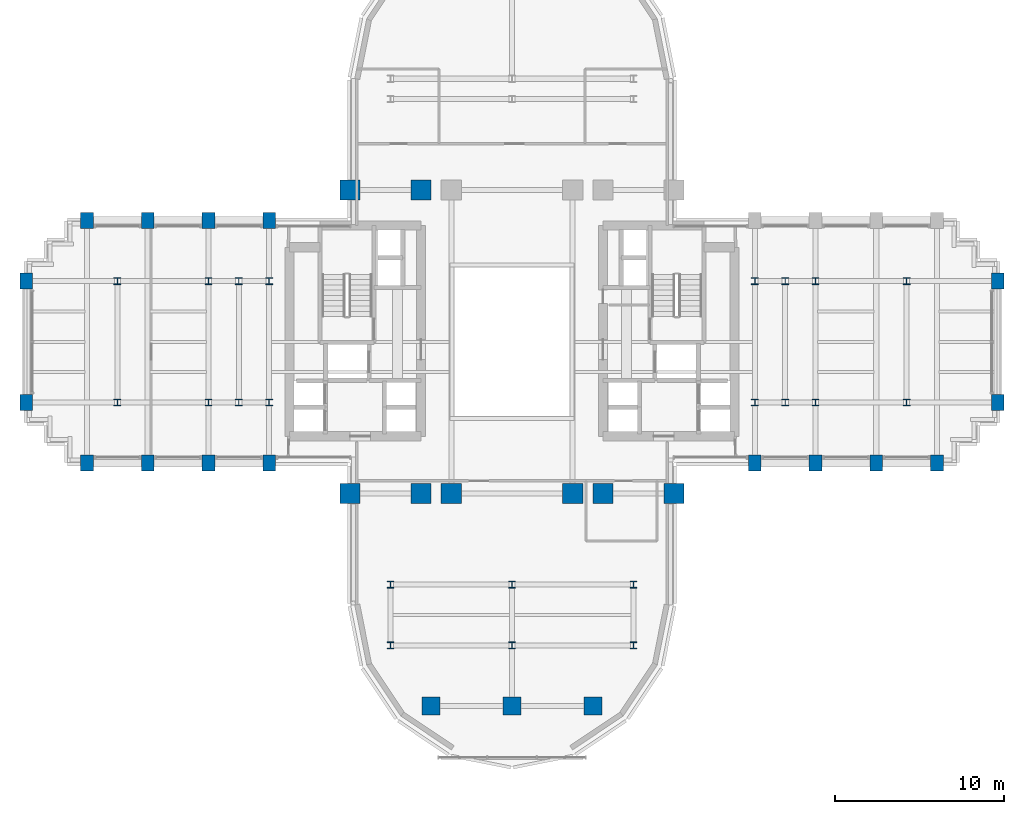
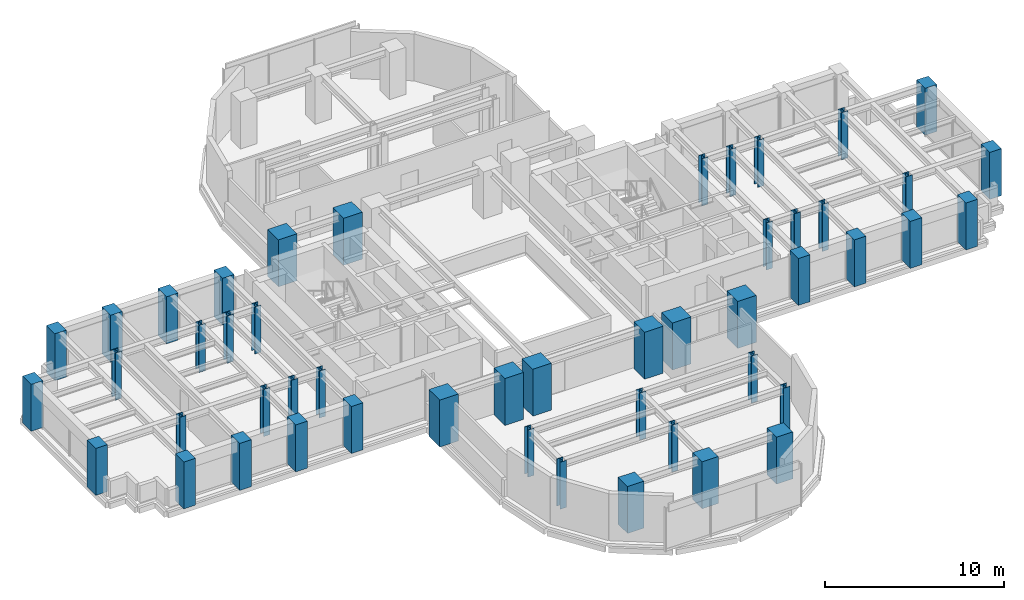
# One storey, part 1 of 16: 49 columns.
"""IFC4 building model written with IfcOpenShell, lengths in metres."""

from ifc_helpers import new_model, si_unit, direction, frame, origin, origin_2d, place, context, subcontext, project, spatial, rectangle, i_section, extrude, source, transform, mapped, material, material_profile, profile_set, type_object, element, save


model = new_model("IFC4")

# Units and contexts
model_context = context("Model", 3, precision=1e-05, world=origin(), true_north=direction((0.0, 1.0)))
body_context = subcontext(model_context, "Body", "Model", "MODEL_VIEW")
ifc_project = project(units=[si_unit("LENGTHUNIT", "METRE"), si_unit("AREAUNIT", "SQUARE_METRE"), si_unit("VOLUMEUNIT", "CUBIC_METRE"), si_unit("PLANEANGLEUNIT", "RADIAN"), si_unit("MASSUNIT", "GRAM", prefix="KILO")], contexts=[model_context])

# Site, building, storey
site_placement = place(None, origin())
site = spatial("IfcSite", under=ifc_project, at=site_placement, CompositionType="ELEMENT")
building_placement = place(site_placement, origin())
building = spatial("IfcBuilding", under=site, at=building_placement, Name="Keilestroom Media Tower", CompositionType="ELEMENT")
storey_placement = place(building_placement, frame((0.0, 0.0, 68.0)))
storey = spatial("IfcBuildingStorey", under=building, at=storey_placement, Name="L17", CompositionType="ELEMENT", Elevation=68.0)

# Columns
ifc_material_1 = material(Name="Precast concrete C40/50", Category="concrete")
ifc_material_profile_1 = material_profile(ifc_material_1, rectangle(XDim=0.75, YDim=0.949951171875, at=origin_2d()), Name="PC 950x750")
ifc_profile_set_1 = profile_set([ifc_material_profile_1], Name="Precast concrete C40/50")
column_type_1 = type_object("IfcColumnType", Name="Structural-Column-PC-950x750", PredefinedType="COLUMN", material=ifc_profile_set_1)
shared_shape_1 = source(origin(), body_context, "Body", "SweptSolid", [
    extrude(rectangle(XDim=0.75, YDim=0.949951171875, at=origin_2d()), origin(), (0.0, 0.0, 1.0), 3.199951171875),
])
for number, where, z_axis, x_axis, name in (
    (1, (-28.800048828125, -3.60009765625, 0.0), (0.0, 0.0, 1.0), (1.0, 0.0, 0.0), "L17 Column PC-1 (-28.8,-3.6)"),
    (2, (-28.800048828125, 3.60009765625, 0.0), (0.0, 0.0, 1.0), (1.0, 0.0, 0.0), "L17 Column PC-1 (-28.8,+3.6)"),
    (3, (-25.199951171875, -7.199951171875, 0.0), (0.0, 0.0, 1.0), (1.0, 0.0, 0.0), "L17 Column PC-1 (-25.2,-7.2)"),
    (4, (-25.199951171875, 7.199951171875, 0.0), (0.0, 0.0, 1.0), (1.0, 0.0, 0.0), "L17 Column PC-1 (-25.2,+7.2)"),
    (5, (-21.60009765625, -7.199951171875, 0.0), (0.0, 0.0, 1.0), (1.0, 0.0, 0.0), "L17 Column PC-1 (-21.6,-7.2)"),
    (6, (-21.60009765625, 7.199951171875, 0.0), (0.0, 0.0, 1.0), (1.0, 0.0, 0.0), "L17 Column PC-1 (-21.6,+7.2)"),
    (7, (-18.0, -7.199951171875, 0.0), (0.0, 0.0, 1.0), (1.0, 0.0, 0.0), "L17 Column PC-1 (-18.0,-7.2)"),
    (8, (-18.0, 7.199951171875, 0.0), (0.0, 0.0, 1.0), (1.0, 0.0, 0.0), "L17 Column PC-1 (-18.0,+7.2)"),
    (9, (-14.39990234375, -7.199951171875, 0.0), (0.0, 0.0, 1.0), (1.0, 0.0, 0.0), "L17 Column PC-1 (-14.4,-7.2)"),
    (10, (-14.39990234375, 7.199951171875, 0.0), (0.0, 0.0, 1.0), (1.0, 0.0, 0.0), "L17 Column PC-1 (-14.4,+7.2)"),
    (11, (14.39990234375, -7.199951171875, 0.0), (0.0, 0.0, 1.0), (1.0, 0.0, 0.0), "L17 Column PC-1 (+14.4,-7.2)"),
    (12, (18.0, -7.199951171875, 0.0), (0.0, 0.0, 1.0), (1.0, 0.0, 0.0), "L17 Column PC-1 (+18.0,-7.2)"),
    (13, (21.60009765625, -7.199951171875, 0.0), (0.0, 0.0, 1.0), (1.0, 0.0, 0.0), "L17 Column PC-1 (+21.6,-7.2)"),
    (14, (25.199951171875, -7.199951171875, 0.0), (0.0, 0.0, 1.0), (1.0, 0.0, 0.0), "L17 Column PC-1 (+25.2,-7.2)"),
    (15, (28.800048828125, -3.60009765625, 0.0), (0.0, 0.0, 1.0), (1.0, 0.0, 0.0), "L17 Column PC-1 (+28.8,-3.6)"),
    (16, (28.800048828125, 3.60009765625, 0.0), (0.0, 0.0, 1.0), (1.0, 0.0, 0.0), "L17 Column PC-1 (+28.8,+3.6)"),
):
    element("IfcColumn", number, at=place(storey_placement, frame(where, z_axis=z_axis, x_axis=x_axis)), inside=storey, type_object=column_type_1, Name=name, PredefinedType="COLUMN", context=body_context, shape_type="MappedRepresentation", body=[
        mapped(shared_shape_1, transform((0.0, 0.0, 0.0), x_axis=(1.0, 0.0, 0.0), y_axis=(0.0, 1.0, 0.0), z_axis=(0.0, 0.0, 1.0), scale=1.0)),
    ])
ifc_material_2 = material(Name="Steel S460", Category="steel")
ifc_material_profile_2 = material_profile(ifc_material_2, i_section(OverallWidth=0.404052734375, OverallDepth=0.406982421875, WebThickness=0.02197265625, FlangeThickness=0.035400390625, at=origin_2d()), Name="HD 400x347")
ifc_profile_set_2 = profile_set([ifc_material_profile_2], Name="Steel S460")
column_type_2 = type_object("IfcColumnType", Name="Structural-Column-HD-400x347", PredefinedType="COLUMN", material=ifc_profile_set_2)
shared_shape_2 = source(origin(), body_context, "Body", "SweptSolid", [
    extrude(i_section(OverallWidth=0.404052734375, OverallDepth=0.406982421875, WebThickness=0.02197265625, FlangeThickness=0.035400390625, at=origin_2d()), origin(), (0.0, 0.0, 1.0), 3.199951171875),
])
for number, where, z_axis, x_axis, name in (
    (17, (-23.39990234375, -3.60009765625, 0.0), (0.0, 0.0, 1.0), (1.0, 0.0, 0.0), "L17 Column SC-2 (-23.4,-3.6)"),
    (18, (-23.39990234375, 3.60009765625, 0.0), (0.0, 0.0, 1.0), (1.0, 0.0, 0.0), "L17 Column SC-2 (-23.4,+3.6)"),
    (19, (-18.0, -3.60009765625, 0.0), (0.0, 0.0, 1.0), (1.0, 0.0, 0.0), "L17 Column SC-2 (-18.0,-3.6)"),
    (20, (-18.0, 3.60009765625, 0.0), (0.0, 0.0, 1.0), (1.0, 0.0, 0.0), "L17 Column SC-2 (-18.0,+3.6)"),
    (21, (-16.199951171875, -3.60009765625, 0.0), (0.0, 0.0, 1.0), (1.0, 0.0, 0.0), "L17 Column SC-2 (-16.2,-3.6)"),
    (22, (-16.199951171875, 3.60009765625, 0.0), (0.0, 0.0, 1.0), (1.0, 0.0, 0.0), "L17 Column SC-2 (-16.2,+3.6)"),
    (23, (-14.39990234375, -3.60009765625, 0.0), (0.0, 0.0, 1.0), (1.0, 0.0, 0.0), "L17 Column SC-2 (-14.4,-3.6)"),
    (24, (-14.39990234375, 3.60009765625, 0.0), (0.0, 0.0, 1.0), (1.0, 0.0, 0.0), "L17 Column SC-2 (-14.4,+3.6)"),
    (25, (-7.199951171875, -18.0, 0.0), (0.0, 0.0, 1.0), (1.0, 0.0, 0.0), "L17 Column SC-2 (-7.2,-18.0)"),
    (26, (-7.199951171875, -14.39990234375, 0.0), (0.0, 0.0, 1.0), (1.0, 0.0, 0.0), "L17 Column SC-2 (-7.2,-14.4)"),
    (27, (0.0, -18.0, 0.0), (0.0, 0.0, 1.0), (1.0, 0.0, 0.0), "L17 Column SC-2 (+0.0,-18.0)"),
    (28, (0.0, -14.39990234375, 0.0), (0.0, 0.0, 1.0), (1.0, 0.0, 0.0), "L17 Column SC-2 (+0.0,-14.4)"),
    (29, (7.199951171875, -18.0, 0.0), (0.0, 0.0, 1.0), (1.0, 0.0, 0.0), "L17 Column SC-2 (+7.2,-18.0)"),
    (30, (7.199951171875, -14.39990234375, 0.0), (0.0, 0.0, 1.0), (1.0, 0.0, 0.0), "L17 Column SC-2 (+7.2,-14.4)"),
    (31, (14.39990234375, -3.60009765625, 0.0), (0.0, 0.0, 1.0), (1.0, 0.0, 0.0), "L17 Column SC-2 (+14.4,-3.6)"),
    (32, (14.39990234375, 3.60009765625, 0.0), (0.0, 0.0, 1.0), (1.0, 0.0, 0.0), "L17 Column SC-2 (+14.4,+3.6)"),
    (33, (16.199951171875, -3.60009765625, 0.0), (0.0, 0.0, 1.0), (1.0, 0.0, 0.0), "L17 Column SC-2 (+16.2,-3.6)"),
    (34, (16.199951171875, 3.60009765625, 0.0), (0.0, 0.0, 1.0), (1.0, 0.0, 0.0), "L17 Column SC-2 (+16.2,+3.6)"),
    (35, (18.0, -3.60009765625, 0.0), (0.0, 0.0, 1.0), (1.0, 0.0, 0.0), "L17 Column SC-2 (+18.0,-3.6)"),
    (36, (18.0, 3.60009765625, 0.0), (0.0, 0.0, 1.0), (1.0, 0.0, 0.0), "L17 Column SC-2 (+18.0,+3.6)"),
    (37, (23.39990234375, -3.60009765625, 0.0), (0.0, 0.0, 1.0), (1.0, 0.0, 0.0), "L17 Column SC-2 (+23.4,-3.6)"),
    (38, (23.39990234375, 3.60009765625, 0.0), (0.0, 0.0, 1.0), (1.0, 0.0, 0.0), "L17 Column SC-2 (+23.4,+3.6)"),
):
    element("IfcColumn", number, at=place(storey_placement, frame(where, z_axis=z_axis, x_axis=x_axis)), inside=storey, type_object=column_type_2, Name=name, PredefinedType="COLUMN", context=body_context, shape_type="MappedRepresentation", body=[
        mapped(shared_shape_2, transform((0.0, 0.0, 0.0), x_axis=(1.0, 0.0, 0.0), y_axis=(0.0, 1.0, 0.0), z_axis=(0.0, 0.0, 1.0), scale=1.0)),
    ])
ifc_material_3 = material(Name="Concrete C70/85", Category="concrete")
ifc_material_profile_3 = material_profile(ifc_material_3, rectangle(XDim=1.199951171875, YDim=1.199951171875, at=origin_2d()), Name="RC 1200x1200")
ifc_profile_set_3 = profile_set([ifc_material_profile_3], Name="Concrete C70/85")
column_type_3 = type_object("IfcColumnType", Name="Structural-Column-RC-1200x1200", PredefinedType="COLUMN", material=ifc_profile_set_3)
shared_shape_3 = source(origin(), body_context, "Body", "SweptSolid", [
    extrude(rectangle(XDim=1.199951171875, YDim=1.199951171875, at=origin_2d()), origin(), (0.0, 0.0, 1.0), 3.199951171875),
])
for number, where, z_axis, x_axis, name in (
    (39, (-9.60009765625, -9.0, 0.0), (0.0, 0.0, 1.0), (1.0, 0.0, 0.0), "L17 Column MC-2 (-9.6,-9.0)"),
    (40, (-9.60009765625, 9.0, 0.0), (0.0, 0.0, 1.0), (1.0, 0.0, 0.0), "L17 Column MC-2 (-9.6,+9.0)"),
    (41, (-5.39990234375, -9.0, 0.0), (0.0, 0.0, 1.0), (1.0, 0.0, 0.0), "L17 Column MC-2 (-5.4,-9.0)"),
    (42, (-5.39990234375, 9.0, 0.0), (0.0, 0.0, 1.0), (1.0, 0.0, 0.0), "L17 Column MC-2 (-5.4,+9.0)"),
    (43, (-3.60009765625, -9.0, 0.0), (0.0, 0.0, 1.0), (1.0, 0.0, 0.0), "L17 Column MC-2 (-3.6,-9.0)"),
    (44, (3.60009765625, -9.0, 0.0), (0.0, 0.0, 1.0), (1.0, 0.0, 0.0), "L17 Column MC-2 (+3.6,-9.0)"),
    (45, (5.39990234375, -9.0, 0.0), (0.0, 0.0, 1.0), (1.0, 0.0, 0.0), "L17 Column MC-2 (+5.4,-9.0)"),
    (46, (9.60009765625, -9.0, 0.0), (0.0, 0.0, 1.0), (1.0, 0.0, 0.0), "L17 Column MC-2 (+9.6,-9.0)"),
):
    element("IfcColumn", number, at=place(storey_placement, frame(where, z_axis=z_axis, x_axis=x_axis)), inside=storey, type_object=column_type_3, Name=name, PredefinedType="COLUMN", context=body_context, shape_type="MappedRepresentation", body=[
        mapped(shared_shape_3, transform((0.0, 0.0, 0.0), x_axis=(1.0, 0.0, 0.0), y_axis=(0.0, 1.0, 0.0), z_axis=(0.0, 0.0, 1.0), scale=1.0)),
    ])
ifc_material_4 = material(Name="Concrete C55/67", Category="concrete")
ifc_material_profile_4 = material_profile(ifc_material_4, rectangle(XDim=1.050048828125, YDim=1.050048828125, at=origin_2d()), Name="RC 1050x1050")
ifc_profile_set_4 = profile_set([ifc_material_profile_4], Name="Concrete C55/67")
column_type_4 = type_object("IfcColumnType", Name="Structural-Column-RC-1050x1050", PredefinedType="COLUMN", material=ifc_profile_set_4)
shared_shape_4 = source(origin(), body_context, "Body", "SweptSolid", [
    extrude(rectangle(XDim=1.050048828125, YDim=1.050048828125, at=origin_2d()), origin(), (0.0, 0.0, 1.0), 3.199951171875),
])
for number, where, z_axis, x_axis, name in (
    (47, (-4.800048828125, -21.60009765625, 0.0), (0.0, 0.0, 1.0), (1.0, 0.0, 0.0), "L17 Column MC-3 (-4.8,-21.6)"),
    (48, (0.0, -21.60009765625, 0.0), (0.0, 0.0, 1.0), (1.0, 0.0, 0.0), "L17 Column MC-3 (+0.0,-21.6)"),
    (49, (4.800048828125, -21.60009765625, 0.0), (0.0, 0.0, 1.0), (1.0, 0.0, 0.0), "L17 Column MC-3 (+4.8,-21.6)"),
):
    element("IfcColumn", number, at=place(storey_placement, frame(where, z_axis=z_axis, x_axis=x_axis)), inside=storey, type_object=column_type_4, Name=name, PredefinedType="COLUMN", context=body_context, shape_type="MappedRepresentation", body=[
        mapped(shared_shape_4, transform((0.0, 0.0, 0.0), x_axis=(1.0, 0.0, 0.0), y_axis=(0.0, 1.0, 0.0), z_axis=(0.0, 0.0, 1.0), scale=1.0)),
    ])

save(model, "model.ifc")
